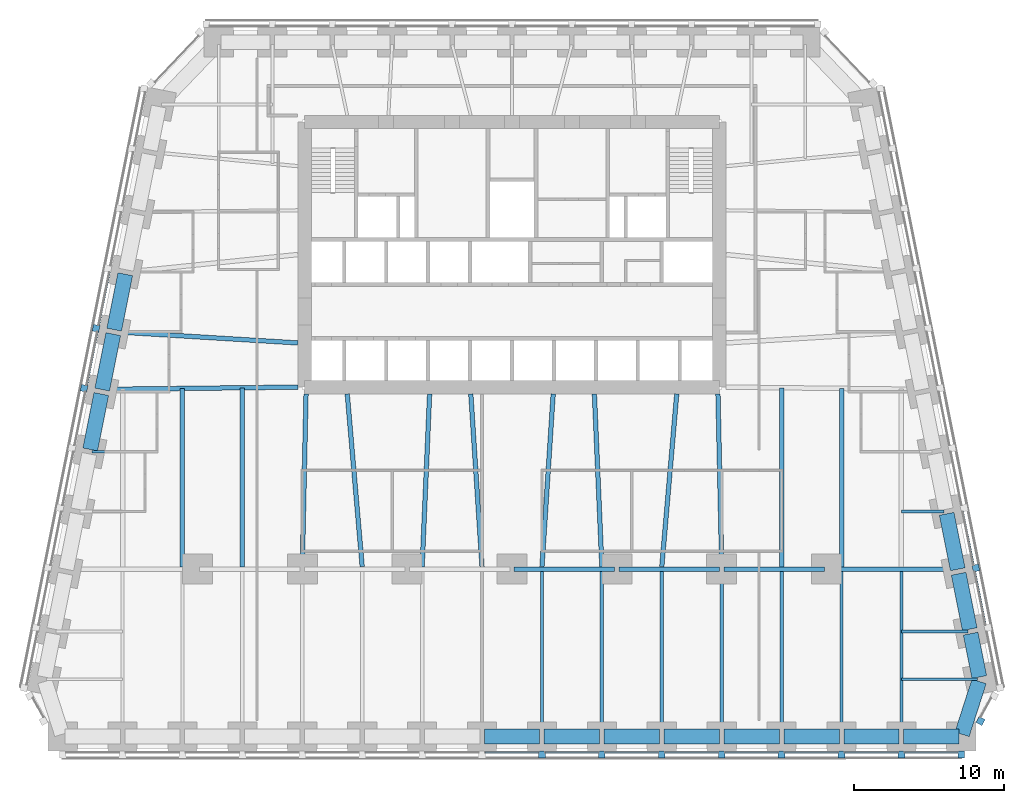
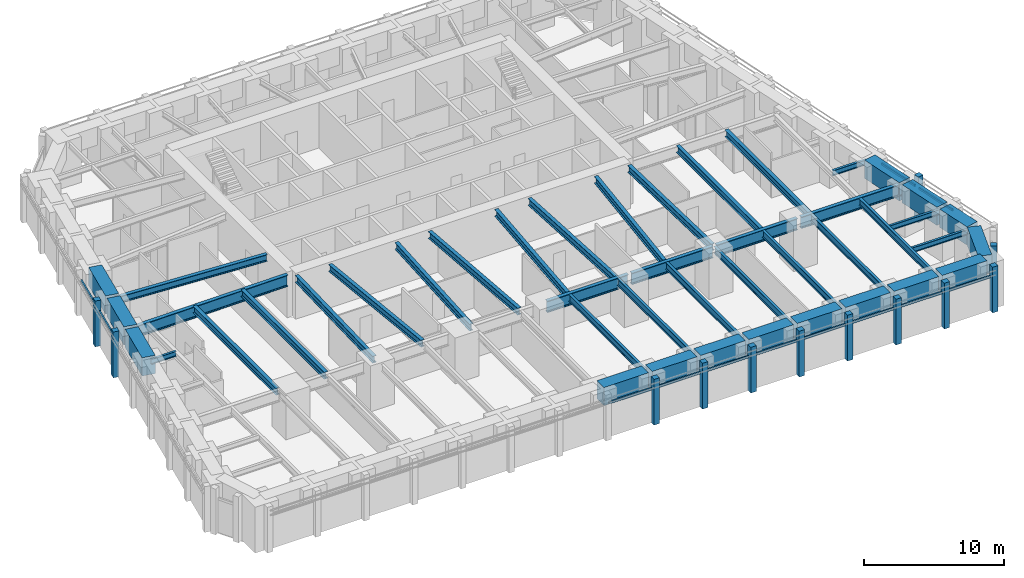
# One storey, part 2 of 10: 44 beams, 24 members, 4 elements without a shape of their own.
"""IFC4 building model written with IfcOpenShell, lengths in metres."""

from ifc_helpers import new_model, si_unit, direction, frame, origin, origin_2d, place, context, subcontext, project, spatial, rectangle, i_section, extrude, material, material_profile, profile_set, type_object, element, aggregate, save


model = new_model("IFC4")

# Units and contexts
model_context = context("Model", 3, precision=1e-05, world=origin(), true_north=direction((0.0, 1.0)))
body_context = subcontext(model_context, "Body", "Model", "MODEL_VIEW")
ifc_project = project(units=[si_unit("LENGTHUNIT", "METRE"), si_unit("AREAUNIT", "SQUARE_METRE"), si_unit("VOLUMEUNIT", "CUBIC_METRE"), si_unit("PLANEANGLEUNIT", "RADIAN"), si_unit("MASSUNIT", "GRAM", prefix="KILO")], contexts=[model_context])

# Site, building, storey
site_placement = place(None, origin())
site = spatial("IfcSite", under=ifc_project, at=site_placement, CompositionType="ELEMENT")
building_placement = place(site_placement, origin())
building = spatial("IfcBuilding", under=site, at=building_placement, Name="Isbrekke Arena Tower", CompositionType="ELEMENT")
storey_placement = place(building_placement, frame((0.0, 0.0, 60.0)))
storey = spatial("IfcBuildingStorey", under=building, at=storey_placement, Name="L12", CompositionType="ELEMENT", Elevation=60.0)

# Beams
ifc_material_1 = material(Name="Steel S355", Category="steel")
ifc_material_profile_1 = material_profile(ifc_material_1, i_section(OverallWidth=0.219970703125, OverallDepth=0.60009765625, WebThickness=0.011962890625, FlangeThickness=0.01904296875, FilletRadius=0.02392578125, at=origin_2d()), Name="IPE 600")
ifc_profile_set_1 = profile_set([ifc_material_profile_1], Name="Steel S355")
beam_type_1 = type_object("IfcBeamType", Name="B1 IPE 600", PredefinedType="BEAM", material=ifc_profile_set_1)
for number, where, z_axis, x_axis, name in (
    (1, (2.0, -17.02490234375, 3.550048828125), (0.0, 1.0, 0.0), (-1.0, 0.0, 0.0), "B1 beam S-S09 L12"),
    (2, (6.0, -17.02490234375, 3.550048828125), (0.0, 1.0, 0.0), (-1.0, 0.0, 0.0), "B1 beam S-S10 L12"),
    (3, (10.0, -17.02490234375, 3.550048828125), (0.0, 1.0, 0.0), (-1.0, 0.0, 0.0), "B1 beam S-S11 L12"),
):
    element("IfcBeam", number, at=place(storey_placement, frame(where, z_axis=z_axis, x_axis=x_axis)), inside=storey, type_object=beam_type_1, Name=name, PredefinedType="BEAM", context=body_context, shape_type="SweptSolid", body=[
        extrude(i_section(OverallWidth=0.219970703125, OverallDepth=0.60009765625, WebThickness=0.011962890625, FlangeThickness=0.01904296875, FilletRadius=0.02392578125, at=origin_2d()), origin(), (0.0, 0.0, 1.0), 10.8740234375),
    ])
beam_1_placement = place(storey_placement, frame((14.0, -17.02490234375, 3.550048828125), z_axis=(0.0, 1.0, 0.0), x_axis=(-1.0, 0.0, 0.0)))
element("IfcBeam", 4, at=beam_1_placement, inside=storey, type_object=beam_type_1, Name="B1 beam S-S12 L12", PredefinedType="BEAM", context=body_context, shape_type="SweptSolid", body=[
    extrude(i_section(OverallWidth=0.219970703125, OverallDepth=0.60009765625, WebThickness=0.011962890625, FlangeThickness=0.01904296875, FilletRadius=0.02392578125, at=origin_2d()), origin(), (0.0, 0.0, 1.0), 10.875),
])
for number, where, z_axis, x_axis, name in (
    (5, (18.0, -17.02490234375, 3.550048828125), (0.0, 1.0, 0.0), (-1.0, 0.0, 0.0), "B1 beam S-S13 L12"),
    (6, (22.0, -17.02490234375, 3.550048828125), (0.0, 1.0, 0.0), (-1.0, 0.0, 0.0), "B1 beam S-S14 L12"),
    (7, (26.0, -17.02490234375, 3.550048828125), (0.0, 1.0, 0.0), (-1.0, 0.0, 0.0), "B1 beam S-S15 L12"),
):
    element("IfcBeam", number, at=place(storey_placement, frame(where, z_axis=z_axis, x_axis=x_axis)), inside=storey, type_object=beam_type_1, Name=name, PredefinedType="BEAM", context=body_context, shape_type="SweptSolid", body=[
        extrude(i_section(OverallWidth=0.219970703125, OverallDepth=0.60009765625, WebThickness=0.011962890625, FlangeThickness=0.01904296875, FilletRadius=0.02392578125, at=origin_2d()), origin(), (0.0, 0.0, 1.0), 10.8740234375),
    ])
ifc_material_2 = material(Name="Steel S355", Category="steel")
ifc_material_profile_2 = material_profile(ifc_material_2, i_section(OverallWidth=0.18994140625, OverallDepth=0.449951171875, WebThickness=0.009521484375, FlangeThickness=0.0146484375, FilletRadius=0.02099609375, at=origin_2d()), Name="IPE 450")
ifc_profile_set_2 = profile_set([ifc_material_profile_2], Name="Steel S355")
beam_type_2 = type_object("IfcBeamType", Name="B2 IPE 450", PredefinedType="BEAM", material=ifc_profile_set_2)
beam_2_placement = place(storey_placement, frame((31.079345703125, -13.352783203125, 3.625), z_axis=(-1.0, 0.0, 0.0), x_axis=(0.0, -1.0, 0.0)))
element("IfcBeam", 8, at=beam_2_placement, inside=storey, type_object=beam_type_2, Name="B2 beam E-E01 L12", PredefinedType="BEAM", context=body_context, shape_type="SweptSolid", body=[
    extrude(i_section(OverallWidth=0.18994140625, OverallDepth=0.449951171875, WebThickness=0.009521484375, FlangeThickness=0.0146484375, FilletRadius=0.02099609375, at=origin_2d()), origin(), (0.0, 0.0, 1.0), 5.079345703125),
])
beam_3_placement = place(storey_placement, frame((30.44091796875, -10.161865234375, 3.625), z_axis=(-1.0, 0.0, 0.0), x_axis=(0.0, -1.0, 0.0)))
element("IfcBeam", 9, at=beam_3_placement, inside=storey, type_object=beam_type_2, Name="B2 beam E-E02 L12", PredefinedType="BEAM", context=body_context, shape_type="SweptSolid", body=[
    extrude(i_section(OverallWidth=0.18994140625, OverallDepth=0.449951171875, WebThickness=0.009521484375, FlangeThickness=0.0146484375, FilletRadius=0.02099609375, at=origin_2d()), origin(), (0.0, 0.0, 1.0), 4.44091796875),
])
beam_4_placement = place(storey_placement, frame((28.841064453125, -2.161865234375, 3.625), z_axis=(-1.0, 0.0, 0.0), x_axis=(0.0, -1.0, 0.0)))
element("IfcBeam", 10, at=beam_4_placement, inside=storey, type_object=beam_type_2, Name="B2 beam E-E04 L12", PredefinedType="BEAM", context=body_context, shape_type="SweptSolid", body=[
    extrude(i_section(OverallWidth=0.18994140625, OverallDepth=0.449951171875, WebThickness=0.009521484375, FlangeThickness=0.0146484375, FilletRadius=0.02099609375, at=origin_2d()), origin(), (0.0, 0.0, 1.0), 2.841064453125),
])
beam_5_placement = place(storey_placement, frame((-28.041015625, 1.838134765625, 3.625), z_axis=(1.0, 0.0, 0.0), x_axis=(0.0, 1.0, 0.0)))
element("IfcBeam", 11, at=beam_5_placement, inside=storey, type_object=beam_type_2, Name="B2 beam E-W07 L12", PredefinedType="BEAM", context=body_context, shape_type="SweptSolid", body=[
    extrude(i_section(OverallWidth=0.18994140625, OverallDepth=0.449951171875, WebThickness=0.009521484375, FlangeThickness=0.0146484375, FilletRadius=0.02099609375, at=origin_2d()), origin(), (0.0, 0.0, 1.0), 2.041015625),
])
ifc_material_3 = material(Name="Steel S355", Category="steel")
ifc_material_profile_3 = material_profile(ifc_material_3, i_section(OverallWidth=0.300048828125, OverallDepth=0.60009765625, WebThickness=0.015380859375, FlangeThickness=0.030029296875, FilletRadius=0.027099609375, at=origin_2d()), Name="HEB 600")
ifc_profile_set_3 = profile_set([ifc_material_profile_3], Name="Steel S355")
beam_type_3 = type_object("IfcBeamType", Name="B7 HEB 600", PredefinedType="BEAM", material=ifc_profile_set_3)
beam_6_placement = place(storey_placement, frame((-22.0, -5.84912109375, 3.550048828125), z_axis=(0.0, 1.0, 0.0), x_axis=(-1.0, 0.0, 0.0)))
element("IfcBeam", 12, at=beam_6_placement, inside=storey, type_object=beam_type_3, Name="B7 beam C-M02 L12", PredefinedType="BEAM", context=body_context, shape_type="SweptSolid", body=[
    extrude(i_section(OverallWidth=0.300048828125, OverallDepth=0.60009765625, WebThickness=0.015380859375, FlangeThickness=0.030029296875, FilletRadius=0.027099609375, at=origin_2d()), origin(), (0.0, 0.0, 1.0), 11.910888671875),
])
beam_7_placement = place(storey_placement, frame((-18.0, -5.84912109375, 3.550048828125), z_axis=(0.0, 1.0, 0.0), x_axis=(-1.0, 0.0, 0.0)))
element("IfcBeam", 13, at=beam_7_placement, inside=storey, type_object=beam_type_3, Name="B7 beam C-M03 L12", PredefinedType="BEAM", context=body_context, shape_type="SweptSolid", body=[
    extrude(i_section(OverallWidth=0.300048828125, OverallDepth=0.60009765625, WebThickness=0.015380859375, FlangeThickness=0.030029296875, FilletRadius=0.027099609375, at=origin_2d()), origin(), (0.0, 0.0, 1.0), 11.956787109375),
])
beam_8_placement = place(storey_placement, frame((-14.0, -5.8466796875, 3.550048828125), z_axis=(0.021646264273, 0.999765692171, 0.0), x_axis=(-0.999765692171, 0.021646264273, 0.0)))
element("IfcBeam", 14, at=beam_8_placement, inside=storey, type_object=beam_type_3, Name="B7 beam C-M04 L12", PredefinedType="BEAM", context=body_context, shape_type="SweptSolid", body=[
    extrude(i_section(OverallWidth=0.300048828125, OverallDepth=0.60009765625, WebThickness=0.015380859375, FlangeThickness=0.030029296875, FilletRadius=0.027099609375, at=origin_2d()), origin(), (0.0, 0.0, 1.0), 11.54931640625),
])
beam_9_placement = place(storey_placement, frame((-10.001220703125, -5.836181640625, 3.550048828125), z_axis=(-0.086255671377, 0.996273034442, 0.0), x_axis=(-0.996273034442, -0.086255671377, 0.0)))
element("IfcBeam", 15, at=beam_9_placement, inside=storey, type_object=beam_type_3, Name="B7 beam C-M05 L12", PredefinedType="BEAM", context=body_context, shape_type="SweptSolid", body=[
    extrude(i_section(OverallWidth=0.300048828125, OverallDepth=0.60009765625, WebThickness=0.015380859375, FlangeThickness=0.030029296875, FilletRadius=0.027099609375, at=origin_2d()), origin(), (0.0, 0.0, 1.0), 11.579345703125),
])
beam_10_placement = place(storey_placement, frame((-5.999755859375, -5.842529296875, 3.550048828125), z_axis=(0.04325656756, 0.99906399663, 0.0), x_axis=(-0.99906399663, 0.04325656756, 0.0)))
element("IfcBeam", 16, at=beam_10_placement, inside=storey, type_object=beam_type_3, Name="B7 beam C-M06 L12", PredefinedType="BEAM", context=body_context, shape_type="SweptSolid", body=[
    extrude(i_section(OverallWidth=0.300048828125, OverallDepth=0.60009765625, WebThickness=0.015380859375, FlangeThickness=0.030029296875, FilletRadius=0.027099609375, at=origin_2d()), origin(), (0.0, 0.0, 1.0), 11.55322265625),
])
for number, where, z_axis, x_axis, name in (
    (17, (-2.000732421875, -5.83935546875, 3.550048828125), (-0.064795318476, 0.997898575359, 0.0), (-0.997898575359, -0.064795318476, 0.0), "B7 beam C-M07 L12"),
    (18, (2.000732421875, -5.83935546875, 3.550048828125), (0.064795318476, 0.997898575359, 0.0), (-0.997898575359, 0.064795318476, 0.0), "B7 beam C-M08 L12"),
):
    element("IfcBeam", number, at=place(storey_placement, frame(where, z_axis=z_axis, x_axis=x_axis)), inside=storey, type_object=beam_type_3, Name=name, PredefinedType="BEAM", context=body_context, shape_type="SweptSolid", body=[
        extrude(i_section(OverallWidth=0.300048828125, OverallDepth=0.60009765625, WebThickness=0.015380859375, FlangeThickness=0.030029296875, FilletRadius=0.027099609375, at=origin_2d()), origin(), (0.0, 0.0, 1.0), 11.563720703125),
    ])
beam_11_placement = place(storey_placement, frame((5.999755859375, -5.842529296875, 3.550048828125), z_axis=(-0.04325656756, 0.99906399663, 0.0), x_axis=(-0.99906399663, -0.04325656756, 0.0)))
element("IfcBeam", 19, at=beam_11_placement, inside=storey, type_object=beam_type_3, Name="B7 beam C-M09 L12", PredefinedType="BEAM", context=body_context, shape_type="SweptSolid", body=[
    extrude(i_section(OverallWidth=0.300048828125, OverallDepth=0.60009765625, WebThickness=0.015380859375, FlangeThickness=0.030029296875, FilletRadius=0.027099609375, at=origin_2d()), origin(), (0.0, 0.0, 1.0), 11.55322265625),
])
beam_12_placement = place(storey_placement, frame((10.001220703125, -5.836181640625, 3.550048828125), z_axis=(0.086255671377, 0.996273034442, 0.0), x_axis=(-0.996273034442, 0.086255671377, 0.0)))
element("IfcBeam", 20, at=beam_12_placement, inside=storey, type_object=beam_type_3, Name="B7 beam C-M10 L12", PredefinedType="BEAM", context=body_context, shape_type="SweptSolid", body=[
    extrude(i_section(OverallWidth=0.300048828125, OverallDepth=0.60009765625, WebThickness=0.015380859375, FlangeThickness=0.030029296875, FilletRadius=0.027099609375, at=origin_2d()), origin(), (0.0, 0.0, 1.0), 11.579345703125),
])
beam_13_placement = place(storey_placement, frame((14.0, -5.8466796875, 3.550048828125), z_axis=(-0.021646264273, 0.999765692171, 0.0), x_axis=(-0.999765692171, -0.021646264273, 0.0)))
element("IfcBeam", 21, at=beam_13_placement, inside=storey, type_object=beam_type_3, Name="B7 beam C-M11 L12", PredefinedType="BEAM", context=body_context, shape_type="SweptSolid", body=[
    extrude(i_section(OverallWidth=0.300048828125, OverallDepth=0.60009765625, WebThickness=0.015380859375, FlangeThickness=0.030029296875, FilletRadius=0.027099609375, at=origin_2d()), origin(), (0.0, 0.0, 1.0), 11.54931640625),
])
beam_14_placement = place(storey_placement, frame((18.0, -5.84912109375, 3.550048828125), z_axis=(0.0, 1.0, 0.0), x_axis=(-1.0, 0.0, 0.0)))
element("IfcBeam", 22, at=beam_14_placement, inside=storey, type_object=beam_type_3, Name="B7 beam C-M12 L12", PredefinedType="BEAM", context=body_context, shape_type="SweptSolid", body=[
    extrude(i_section(OverallWidth=0.300048828125, OverallDepth=0.60009765625, WebThickness=0.015380859375, FlangeThickness=0.030029296875, FilletRadius=0.027099609375, at=origin_2d()), origin(), (0.0, 0.0, 1.0), 11.956787109375),
])
beam_15_placement = place(storey_placement, frame((22.0, -5.84912109375, 3.550048828125), z_axis=(0.0, 1.0, 0.0), x_axis=(-1.0, 0.0, 0.0)))
element("IfcBeam", 23, at=beam_15_placement, inside=storey, type_object=beam_type_3, Name="B7 beam C-M13 L12", PredefinedType="BEAM", context=body_context, shape_type="SweptSolid", body=[
    extrude(i_section(OverallWidth=0.300048828125, OverallDepth=0.60009765625, WebThickness=0.015380859375, FlangeThickness=0.030029296875, FilletRadius=0.027099609375, at=origin_2d()), origin(), (0.0, 0.0, 1.0), 11.910888671875),
])
beam_16_placement = place(storey_placement, frame((-26.431884765625, 9.837646484375, 3.550048828125), z_axis=(0.998157121592, -0.060682457223, 0.0), x_axis=(0.060682457223, 0.998157121592, 0.0)))
element("IfcBeam", 24, at=beam_16_placement, inside=storey, type_object=beam_type_3, Name="B7 beam E-W05 L12", PredefinedType="BEAM", context=body_context, shape_type="SweptSolid", body=[
    extrude(i_section(OverallWidth=0.300048828125, OverallDepth=0.60009765625, WebThickness=0.015380859375, FlangeThickness=0.030029296875, FilletRadius=0.027099609375, at=origin_2d()), origin(), (0.0, 0.0, 1.0), 12.154296875),
])

# Curtain wall, members
ifc_material_4 = material(Name="Glazed aluminium curtain wall", Category="aluminium")
curtain_wall_type = type_object("IfcCurtainWallType", Name="CWL TOWER CURTAIN WALL LOW ZONE", PredefinedType="USERDEFINED", material=ifc_material_4)
curtain_wall_1_placement = place(storey_placement, origin())
curtain_wall_1 = element("IfcCurtainWall", 25, at=curtain_wall_1_placement, inside=storey, type_object=curtain_wall_type, Name="CWL curtain wall L12-S", ObjectType="TOWER CURTAIN WALL LOW ZONE", PredefinedType="USERDEFINED")
ifc_material_5 = material(Name="Aluminium mullion, pale brick slip cladding", Category="masonry")
ifc_material_profile_4 = material_profile(ifc_material_5, rectangle(XDim=0.449951171875, YDim=0.449951171875, at=origin_2d()), Name="PIER 450X450")
ifc_profile_set_4 = profile_set([ifc_material_profile_4], Name="Aluminium mullion, pale brick slip cladding")
member_type_1 = type_object("IfcMemberType", Name="CWL-M PIER MULLION 450 x 450", PredefinedType="MULLION", material=ifc_profile_set_4)
member_1_placement = place(storey_placement, frame((2.0, -18.375, 0.0), z_axis=(0.0, 0.0, 1.0), x_axis=(1.0, 0.0, 0.0)))
member_1 = element("IfcMember", 26, at=member_1_placement, type_object=member_type_1, Name="CWL-M mullion 9", PredefinedType="MULLION", context=body_context, shape_type="SweptSolid", body=[
    extrude(rectangle(XDim=0.449951171875, YDim=0.449951171875, at=origin_2d()), origin(), (0.0, 0.0, 1.0), 4.0),
])
member_2_placement = place(storey_placement, frame((6.0, -18.375, 0.0), z_axis=(0.0, 0.0, 1.0), x_axis=(1.0, 0.0, 0.0)))
member_2 = element("IfcMember", 27, at=member_2_placement, type_object=member_type_1, Name="CWL-M mullion 10", PredefinedType="MULLION", context=body_context, shape_type="SweptSolid", body=[
    extrude(rectangle(XDim=0.449951171875, YDim=0.449951171875, at=origin_2d()), origin(), (0.0, 0.0, 1.0), 4.0),
])
member_3_placement = place(storey_placement, frame((10.0, -18.375, 0.0), z_axis=(0.0, 0.0, 1.0), x_axis=(1.0, 0.0, 0.0)))
member_3 = element("IfcMember", 28, at=member_3_placement, type_object=member_type_1, Name="CWL-M mullion 11", PredefinedType="MULLION", context=body_context, shape_type="SweptSolid", body=[
    extrude(rectangle(XDim=0.449951171875, YDim=0.449951171875, at=origin_2d()), origin(), (0.0, 0.0, 1.0), 4.0),
])
member_4_placement = place(storey_placement, frame((14.0, -18.375, 0.0), z_axis=(0.0, 0.0, 1.0), x_axis=(1.0, 0.0, 0.0)))
member_4 = element("IfcMember", 29, at=member_4_placement, type_object=member_type_1, Name="CWL-M mullion 12", PredefinedType="MULLION", context=body_context, shape_type="SweptSolid", body=[
    extrude(rectangle(XDim=0.449951171875, YDim=0.449951171875, at=origin_2d()), origin(), (0.0, 0.0, 1.0), 4.0),
])
member_5_placement = place(storey_placement, frame((18.0, -18.375, 0.0), z_axis=(0.0, 0.0, 1.0), x_axis=(1.0, 0.0, 0.0)))
member_5 = element("IfcMember", 30, at=member_5_placement, type_object=member_type_1, Name="CWL-M mullion 13", PredefinedType="MULLION", context=body_context, shape_type="SweptSolid", body=[
    extrude(rectangle(XDim=0.449951171875, YDim=0.449951171875, at=origin_2d()), origin(), (0.0, 0.0, 1.0), 4.0),
])
member_6_placement = place(storey_placement, frame((22.0, -18.375, 0.0), z_axis=(0.0, 0.0, 1.0), x_axis=(1.0, 0.0, 0.0)))
member_6 = element("IfcMember", 31, at=member_6_placement, type_object=member_type_1, Name="CWL-M mullion 14", PredefinedType="MULLION", context=body_context, shape_type="SweptSolid", body=[
    extrude(rectangle(XDim=0.449951171875, YDim=0.449951171875, at=origin_2d()), origin(), (0.0, 0.0, 1.0), 4.0),
])
member_7_placement = place(storey_placement, frame((26.0, -18.375, 0.0), z_axis=(0.0, 0.0, 1.0), x_axis=(1.0, 0.0, 0.0)))
member_7 = element("IfcMember", 32, at=member_7_placement, type_object=member_type_1, Name="CWL-M mullion 15", PredefinedType="MULLION", context=body_context, shape_type="SweptSolid", body=[
    extrude(rectangle(XDim=0.449951171875, YDim=0.449951171875, at=origin_2d()), origin(), (0.0, 0.0, 1.0), 4.0),
])
member_8_placement = place(storey_placement, frame((30.0, -18.375, 0.0), z_axis=(0.0, 0.0, 1.0), x_axis=(1.0, 0.0, 0.0)))
member_8 = element("IfcMember", 33, at=member_8_placement, type_object=member_type_1, Name="CWL-M mullion 16", PredefinedType="MULLION", context=body_context, shape_type="SweptSolid", body=[
    extrude(rectangle(XDim=0.449951171875, YDim=0.449951171875, at=origin_2d()), origin(), (0.0, 0.0, 1.0), 4.0),
])

# Curtain wall, member
curtain_wall_2_placement = place(storey_placement, origin())
curtain_wall_2 = element("IfcCurtainWall", 34, at=curtain_wall_2_placement, inside=storey, type_object=curtain_wall_type, Name="CWL curtain wall L12-SE", ObjectType="TOWER CURTAIN WALL LOW ZONE", PredefinedType="USERDEFINED")
member_9_placement = place(storey_placement, frame((31.2783203125, -16.142822265625, 0.0), z_axis=(0.0, 0.0, 1.0), x_axis=(0.481918749773, 0.876215908676, 0.0)))
member_9 = element("IfcMember", 35, at=member_9_placement, type_object=member_type_1, Name="CWL-M mullion 1", PredefinedType="MULLION", context=body_context, shape_type="SweptSolid", body=[
    extrude(rectangle(XDim=0.449951171875, YDim=0.449951171875, at=origin_2d()), origin(), (0.0, 0.0, 1.0), 4.0),
])
aggregate(curtain_wall_2, [member_9])

curtain_wall_3_placement = place(storey_placement, origin())
curtain_wall_3 = element("IfcCurtainWall", 36, at=curtain_wall_3_placement, inside=storey, type_object=curtain_wall_type, Name="CWL curtain wall L12-E", ObjectType="TOWER CURTAIN WALL LOW ZONE", PredefinedType="USERDEFINED")
member_10_placement = place(storey_placement, frame((30.9677734375, -5.926513671875, 0.0), z_axis=(0.0, 0.0, 1.0), x_axis=(-0.196116135138, 0.980580675691, 0.0)))
member_10 = element("IfcMember", 37, at=member_10_placement, type_object=member_type_1, Name="CWL-M mullion 3", PredefinedType="MULLION", context=body_context, shape_type="SweptSolid", body=[
    extrude(rectangle(XDim=0.449951171875, YDim=0.449951171875, at=origin_2d()), origin(), (0.0, 0.0, 1.0), 4.0),
])

# Curtain wall, members
curtain_wall_4_placement = place(storey_placement, origin())
curtain_wall_4 = element("IfcCurtainWall", 38, at=curtain_wall_4_placement, inside=storey, type_object=curtain_wall_type, Name="CWL curtain wall L12-W", ObjectType="TOWER CURTAIN WALL LOW ZONE", PredefinedType="USERDEFINED")
member_11_placement = place(storey_placement, frame((-27.767822265625, 10.073486328125, 0.0), z_axis=(0.0, 0.0, 1.0), x_axis=(-0.196116135138, -0.980580675691, 0.0)))
member_11 = element("IfcMember", 39, at=member_11_placement, type_object=member_type_1, Name="CWL-M mullion 5", PredefinedType="MULLION", context=body_context, shape_type="SweptSolid", body=[
    extrude(rectangle(XDim=0.449951171875, YDim=0.449951171875, at=origin_2d()), origin(), (0.0, 0.0, 1.0), 4.0),
])
member_12_placement = place(storey_placement, frame((-28.567626953125, 6.073486328125, 0.0), z_axis=(0.0, 0.0, 1.0), x_axis=(-0.196116135138, -0.980580675691, 0.0)))
member_12 = element("IfcMember", 40, at=member_12_placement, type_object=member_type_1, Name="CWL-M mullion 6", PredefinedType="MULLION", context=body_context, shape_type="SweptSolid", body=[
    extrude(rectangle(XDim=0.449951171875, YDim=0.449951171875, at=origin_2d()), origin(), (0.0, 0.0, 1.0), 4.0),
])

# Member
ifc_material_6 = material(Name="Aluminium transom", Category="aluminium")
ifc_material_profile_5 = material_profile(ifc_material_6, rectangle(XDim=0.1201171875, YDim=0.199951171875, at=origin_2d()), Name="TRANSOM 120X200")
ifc_profile_set_5 = profile_set([ifc_material_profile_5], Name="Aluminium transom")
member_type_2 = type_object("IfcMemberType", Name="CWL-T TRANSOM 120 x 200", PredefinedType="USERDEFINED", material=ifc_profile_set_5)
member_13_placement = place(storey_placement, frame((-1.77490234375, -18.25, 3.0), z_axis=(1.0, 0.0, 0.0), x_axis=(0.0, 1.0, 0.0)))
member_13 = element("IfcMember", 41, at=member_13_placement, type_object=member_type_2, Name="CWL-T transom 8", ObjectType="TRANSOM", PredefinedType="USERDEFINED", context=body_context, shape_type="SweptSolid", body=[
    extrude(rectangle(XDim=0.1201171875, YDim=0.199951171875, at=origin_2d()), origin(), (0.0, 0.0, 1.0), 3.5498046875),
])

member_14_placement = place(storey_placement, frame((2.22509765625, -18.25, 3.0), z_axis=(1.0, 0.0, 0.0), x_axis=(0.0, 1.0, 0.0)))
member_14 = element("IfcMember", 42, at=member_14_placement, type_object=member_type_2, Name="CWL-T transom 9", ObjectType="TRANSOM", PredefinedType="USERDEFINED", context=body_context, shape_type="SweptSolid", body=[
    extrude(rectangle(XDim=0.1201171875, YDim=0.199951171875, at=origin_2d()), origin(), (0.0, 0.0, 1.0), 3.5498046875),
])

member_15_placement = place(storey_placement, frame((6.22509765625, -18.25, 3.0), z_axis=(1.0, 0.0, 0.0), x_axis=(0.0, 1.0, 0.0)))
member_15 = element("IfcMember", 43, at=member_15_placement, type_object=member_type_2, Name="CWL-T transom 10", ObjectType="TRANSOM", PredefinedType="USERDEFINED", context=body_context, shape_type="SweptSolid", body=[
    extrude(rectangle(XDim=0.1201171875, YDim=0.199951171875, at=origin_2d()), origin(), (0.0, 0.0, 1.0), 3.5498046875),
])

member_16_placement = place(storey_placement, frame((10.22509765625, -18.25, 3.0), z_axis=(1.0, 0.0, 0.0), x_axis=(0.0, 1.0, 0.0)))
member_16 = element("IfcMember", 44, at=member_16_placement, type_object=member_type_2, Name="CWL-T transom 11", ObjectType="TRANSOM", PredefinedType="USERDEFINED", context=body_context, shape_type="SweptSolid", body=[
    extrude(rectangle(XDim=0.1201171875, YDim=0.199951171875, at=origin_2d()), origin(), (0.0, 0.0, 1.0), 3.5498046875),
])

member_17_placement = place(storey_placement, frame((14.22509765625, -18.25, 3.0), z_axis=(1.0, 0.0, 0.0), x_axis=(0.0, 1.0, 0.0)))
member_17 = element("IfcMember", 45, at=member_17_placement, type_object=member_type_2, Name="CWL-T transom 12", ObjectType="TRANSOM", PredefinedType="USERDEFINED", context=body_context, shape_type="SweptSolid", body=[
    extrude(rectangle(XDim=0.1201171875, YDim=0.199951171875, at=origin_2d()), origin(), (0.0, 0.0, 1.0), 3.5498046875),
])

member_18_placement = place(storey_placement, frame((18.22509765625, -18.25, 3.0), z_axis=(1.0, 0.0, 0.0), x_axis=(0.0, 1.0, 0.0)))
member_18 = element("IfcMember", 46, at=member_18_placement, type_object=member_type_2, Name="CWL-T transom 13", ObjectType="TRANSOM", PredefinedType="USERDEFINED", context=body_context, shape_type="SweptSolid", body=[
    extrude(rectangle(XDim=0.1201171875, YDim=0.199951171875, at=origin_2d()), origin(), (0.0, 0.0, 1.0), 3.5498046875),
])

member_19_placement = place(storey_placement, frame((22.22509765625, -18.25, 3.0), z_axis=(1.0, 0.0, 0.0), x_axis=(0.0, 1.0, 0.0)))
member_19 = element("IfcMember", 47, at=member_19_placement, type_object=member_type_2, Name="CWL-T transom 14", ObjectType="TRANSOM", PredefinedType="USERDEFINED", context=body_context, shape_type="SweptSolid", body=[
    extrude(rectangle(XDim=0.1201171875, YDim=0.199951171875, at=origin_2d()), origin(), (0.0, 0.0, 1.0), 3.5498046875),
])

member_20_placement = place(storey_placement, frame((26.22509765625, -18.25, 3.0), z_axis=(1.0, 0.0, 0.0), x_axis=(0.0, 1.0, 0.0)))
member_20 = element("IfcMember", 48, at=member_20_placement, type_object=member_type_2, Name="CWL-T transom 15", ObjectType="TRANSOM", PredefinedType="USERDEFINED", context=body_context, shape_type="SweptSolid", body=[
    extrude(rectangle(XDim=0.1201171875, YDim=0.199951171875, at=origin_2d()), origin(), (0.0, 0.0, 1.0), 3.5498046875),
])

aggregate(curtain_wall_1, [member_1, member_2, member_3, member_4, member_5, member_6, member_7, member_8, member_13, member_14, member_15, member_16, member_17, member_18, member_19, member_20])

member_21_placement = place(storey_placement, frame((31.60107421875, -9.730224609375, 3.0), z_axis=(-0.196167883278, 0.980570324643, 0.0), x_axis=(-0.980570324643, -0.196167883278, 0.0)))
member_21 = element("IfcMember", 49, at=member_21_placement, type_object=member_type_2, Name="CWL-T transom 2", ObjectType="TRANSOM", PredefinedType="USERDEFINED", context=body_context, shape_type="SweptSolid", body=[
    extrude(rectangle(XDim=0.1201171875, YDim=0.199951171875, at=origin_2d()), origin(), (0.0, 0.0, 1.0), 3.629150390625),
])

member_22_placement = place(storey_placement, frame((30.801025390625, -5.730224609375, 3.0), z_axis=(-0.196103197847, 0.98058326306, 0.0), x_axis=(-0.98058326306, -0.196103197847, 0.0)))
member_22 = element("IfcMember", 50, at=member_22_placement, type_object=member_type_2, Name="CWL-T transom 3", ObjectType="TRANSOM", PredefinedType="USERDEFINED", context=body_context, shape_type="SweptSolid", body=[
    extrude(rectangle(XDim=0.1201171875, YDim=0.199951171875, at=origin_2d()), origin(), (0.0, 0.0, 1.0), 3.629150390625),
])

aggregate(curtain_wall_3, [member_10, member_21, member_22])

member_23_placement = place(storey_placement, frame((-26.88916015625, 13.828369140625, 3.0), z_axis=(-0.196167883278, -0.980570324643, 0.0), x_axis=(0.980570324643, -0.196167883278, 0.0)))
member_23 = element("IfcMember", 51, at=member_23_placement, type_object=member_type_2, Name="CWL-T transom 4", ObjectType="TRANSOM", PredefinedType="USERDEFINED", context=body_context, shape_type="SweptSolid", body=[
    extrude(rectangle(XDim=0.1201171875, YDim=0.199951171875, at=origin_2d()), origin(), (0.0, 0.0, 1.0), 3.629150390625),
])

member_24_placement = place(storey_placement, frame((-27.689208984375, 9.828369140625, 3.0), z_axis=(-0.196167883278, -0.980570324643, 0.0), x_axis=(0.980570324643, -0.196167883278, 0.0)))
member_24 = element("IfcMember", 52, at=member_24_placement, type_object=member_type_2, Name="CWL-T transom 5", ObjectType="TRANSOM", PredefinedType="USERDEFINED", context=body_context, shape_type="SweptSolid", body=[
    extrude(rectangle(XDim=0.1201171875, YDim=0.199951171875, at=origin_2d()), origin(), (0.0, 0.0, 1.0), 3.629150390625),
])

aggregate(curtain_wall_4, [member_11, member_12, member_23, member_24])

# Beams
ifc_material_7 = material(Name="Steel S355", Category="steel")
ifc_material_profile_6 = material_profile(ifc_material_7, i_section(OverallWidth=0.302001953125, OverallDepth=1.008056640625, WebThickness=0.02099609375, FlangeThickness=0.0400390625, FilletRadius=0.030029296875, at=origin_2d()), Name="HEM 1000")
ifc_profile_set_6 = profile_set([ifc_material_profile_6], Name="Steel S355")
beam_type_4 = type_object("IfcBeamType", Name="G1 HEM 1000", PredefinedType="BEAM", material=ifc_profile_set_6)
for number, where, z_axis, x_axis, name in (
    (53, (0.14990234375, -6.0, 3.345947265625), (1.0, 0.0, 0.0), (0.0, 1.0, 0.0), "G1 beam G1-05 L12"),
    (54, (7.14990234375, -6.0, 3.345947265625), (1.0, 0.0, 0.0), (0.0, 1.0, 0.0), "G1 beam G1-06 L12"),
    (55, (14.14990234375, -6.0, 3.345947265625), (1.0, 0.0, 0.0), (0.0, 1.0, 0.0), "G1 beam G1-07 L12"),
):
    element("IfcBeam", number, at=place(storey_placement, frame(where, z_axis=z_axis, x_axis=x_axis)), inside=storey, type_object=beam_type_4, Name=name, PredefinedType="BEAM", context=body_context, shape_type="SweptSolid", body=[
        extrude(i_section(OverallWidth=0.302001953125, OverallDepth=1.008056640625, WebThickness=0.02099609375, FlangeThickness=0.0400390625, FilletRadius=0.030029296875, at=origin_2d()), origin(), (0.0, 0.0, 1.0), 6.7001953125),
    ])
beam_17_placement = place(storey_placement, frame((21.14990234375, -6.0, 3.345947265625), z_axis=(1.0, 0.0, 0.0), x_axis=(0.0, 1.0, 0.0)))
element("IfcBeam", 56, at=beam_17_placement, inside=storey, type_object=beam_type_4, Name="G1 beam G1-08 L12", PredefinedType="BEAM", context=body_context, shape_type="SweptSolid", body=[
    extrude(i_section(OverallWidth=0.302001953125, OverallDepth=1.008056640625, WebThickness=0.02099609375, FlangeThickness=0.0400390625, FilletRadius=0.030029296875, at=origin_2d()), origin(), (0.0, 0.0, 1.0), 8.64111328125),
])
ifc_material_8 = material(Name="Steel S355", Category="steel")
ifc_material_profile_7 = material_profile(ifc_material_8, i_section(OverallWidth=0.302001953125, OverallDepth=1.008056640625, WebThickness=0.02099609375, FlangeThickness=0.0400390625, FilletRadius=0.030029296875, at=origin_2d()), Name="HEM 1000")
ifc_profile_set_7 = profile_set([ifc_material_profile_7], Name="Steel S355")
beam_type_5 = type_object("IfcBeamType", Name="G2 HEM 1000", PredefinedType="BEAM", material=ifc_profile_set_7)
beam_18_placement = place(storey_placement, frame((-14.300048828125, 6.14990234375, 3.345947265625), z_axis=(-0.999934429634, -0.011451481699, 0.0), x_axis=(0.011451481699, -0.999934429634, 0.0)))
element("IfcBeam", 57, at=beam_18_placement, inside=storey, type_object=beam_type_5, Name="G2 beam G2-W L12", PredefinedType="BEAM", context=body_context, shape_type="SweptSolid", body=[
    extrude(i_section(OverallWidth=0.302001953125, OverallDepth=1.008056640625, WebThickness=0.02099609375, FlangeThickness=0.0400390625, FilletRadius=0.030029296875, at=origin_2d()), origin(), (0.0, 0.0, 1.0), 13.09033203125),
])
ifc_material_9 = material(Name="Concrete B90 (C90/105)", Category="concrete")
ifc_material_profile_8 = material_profile(ifc_material_9, rectangle(XDim=1.0, YDim=1.60009765625, at=origin_2d()), Name="RC 1000x1600")
ifc_profile_set_8 = profile_set([ifc_material_profile_8], Name="Concrete B90 (C90/105)")
beam_type_6 = type_object("IfcBeamType", Name="SB1 RC 1000 x 1600", PredefinedType="SPANDREL", material=ifc_profile_set_8)
for number, where, z_axis, x_axis, name in (
    (58, (-1.85009765625, -17.175048828125, 3.199951171875), (1.0, 0.0, 0.0), (0.0, 1.0, 0.0), "SB1 spandrel S08-S09 L12"),
    (59, (2.14990234375, -17.175048828125, 3.199951171875), (1.0, 0.0, 0.0), (0.0, 1.0, 0.0), "SB1 spandrel S09-S10 L12"),
    (60, (6.14990234375, -17.175048828125, 3.199951171875), (1.0, 0.0, 0.0), (0.0, 1.0, 0.0), "SB1 spandrel S10-S11 L12"),
    (61, (10.14990234375, -17.175048828125, 3.199951171875), (1.0, 0.0, 0.0), (0.0, 1.0, 0.0), "SB1 spandrel S11-S12 L12"),
    (62, (14.14990234375, -17.175048828125, 3.199951171875), (1.0, 0.0, 0.0), (0.0, 1.0, 0.0), "SB1 spandrel S12-S13 L12"),
    (63, (18.14990234375, -17.175048828125, 3.199951171875), (1.0, 0.0, 0.0), (0.0, 1.0, 0.0), "SB1 spandrel S13-S14 L12"),
    (64, (22.14990234375, -17.175048828125, 3.199951171875), (1.0, 0.0, 0.0), (0.0, 1.0, 0.0), "SB1 spandrel S14-S15 L12"),
    (65, (26.14990234375, -17.175048828125, 3.199951171875), (1.0, 0.0, 0.0), (0.0, 1.0, 0.0), "SB1 spandrel S15-S16 L12"),
):
    element("IfcBeam", number, at=place(storey_placement, frame(where, z_axis=z_axis, x_axis=x_axis)), inside=storey, type_object=beam_type_6, Name=name, PredefinedType="SPANDREL", context=body_context, shape_type="SweptSolid", body=[
        extrude(rectangle(XDim=1.0, YDim=1.60009765625, at=origin_2d()), origin(), (0.0, 0.0, 1.0), 3.7001953125),
    ])
beam_19_placement = place(storey_placement, frame((30.0458984375, -17.0322265625, 3.199951171875), z_axis=(0.306175101476, 0.951975213562, 0.0), x_axis=(-0.951975213562, 0.306175101476, 0.0)))
element("IfcBeam", 66, at=beam_19_placement, inside=storey, type_object=beam_type_6, Name="SB1 spandrel S16-E01 L12", PredefinedType="SPANDREL", context=body_context, shape_type="SweptSolid", body=[
    extrude(rectangle(XDim=1.0, YDim=1.60009765625, at=origin_2d()), origin(), (0.0, 0.0, 1.0), 3.715087890625),
])
beam_20_placement = place(storey_placement, frame((31.19970703125, -13.205810546875, 3.199951171875), z_axis=(-0.196100243168, 0.980583853951, 0.0), x_axis=(-0.980583853951, -0.196100243168, 0.0)))
element("IfcBeam", 67, at=beam_20_placement, inside=storey, type_object=beam_type_6, Name="SB1 spandrel E01-E02 L12", PredefinedType="SPANDREL", context=body_context, shape_type="SweptSolid", body=[
    extrude(rectangle(XDim=1.0, YDim=1.60009765625, at=origin_2d()), origin(), (0.0, 0.0, 1.0), 2.954345703125),
])
beam_21_placement = place(storey_placement, frame((30.5615234375, -10.0146484375, 3.199951171875), z_axis=(-0.1960664412, 0.980590613169, 0.0), x_axis=(-0.980590613169, -0.1960664412, 0.0)))
element("IfcBeam", 68, at=beam_21_placement, inside=storey, type_object=beam_type_6, Name="SB1 spandrel E02-E03 L12", PredefinedType="SPANDREL", context=body_context, shape_type="SweptSolid", body=[
    extrude(rectangle(XDim=1.0, YDim=1.60009765625, at=origin_2d()), origin(), (0.0, 0.0, 1.0), 3.779052734375),
])
beam_22_placement = place(storey_placement, frame((29.76171875, -6.0146484375, 3.199951171875), z_axis=(-0.196128558387, 0.980578190959, 0.0), x_axis=(-0.980578190959, -0.196128558387, 0.0)))
element("IfcBeam", 69, at=beam_22_placement, inside=storey, type_object=beam_type_6, Name="SB1 spandrel E03-E04 L12", PredefinedType="SPANDREL", context=body_context, shape_type="SweptSolid", body=[
    extrude(rectangle(XDim=1.0, YDim=1.60009765625, at=origin_2d()), origin(), (0.0, 0.0, 1.0), 3.779296875),
])
beam_23_placement = place(storey_placement, frame((-25.820556640625, 13.691162109375, 3.199951171875), z_axis=(-0.1960664412, -0.980590613169, 0.0), x_axis=(0.980590613169, -0.1960664412, 0.0)))
element("IfcBeam", 70, at=beam_23_placement, inside=storey, type_object=beam_type_6, Name="SB1 spandrel W04-W05 L12", PredefinedType="SPANDREL", context=body_context, shape_type="SweptSolid", body=[
    extrude(rectangle(XDim=1.0, YDim=1.60009765625, at=origin_2d()), origin(), (0.0, 0.0, 1.0), 3.779052734375),
])
for number, where, z_axis, x_axis, name in (
    (71, (-26.620361328125, 9.691162109375, 3.199951171875), (-0.196128558387, -0.980578190959, 0.0), (0.980578190959, -0.196128558387, 0.0), "SB1 spandrel W05-W06 L12"),
    (72, (-27.42041015625, 5.691162109375, 3.199951171875), (-0.196128558387, -0.980578190959, 0.0), (0.980578190959, -0.196128558387, 0.0), "SB1 spandrel W06-W07 L12"),
):
    element("IfcBeam", number, at=place(storey_placement, frame(where, z_axis=z_axis, x_axis=x_axis)), inside=storey, type_object=beam_type_6, Name=name, PredefinedType="SPANDREL", context=body_context, shape_type="SweptSolid", body=[
        extrude(rectangle(XDim=1.0, YDim=1.60009765625, at=origin_2d()), origin(), (0.0, 0.0, 1.0), 3.779296875),
    ])

save(model, "model.ifc")
